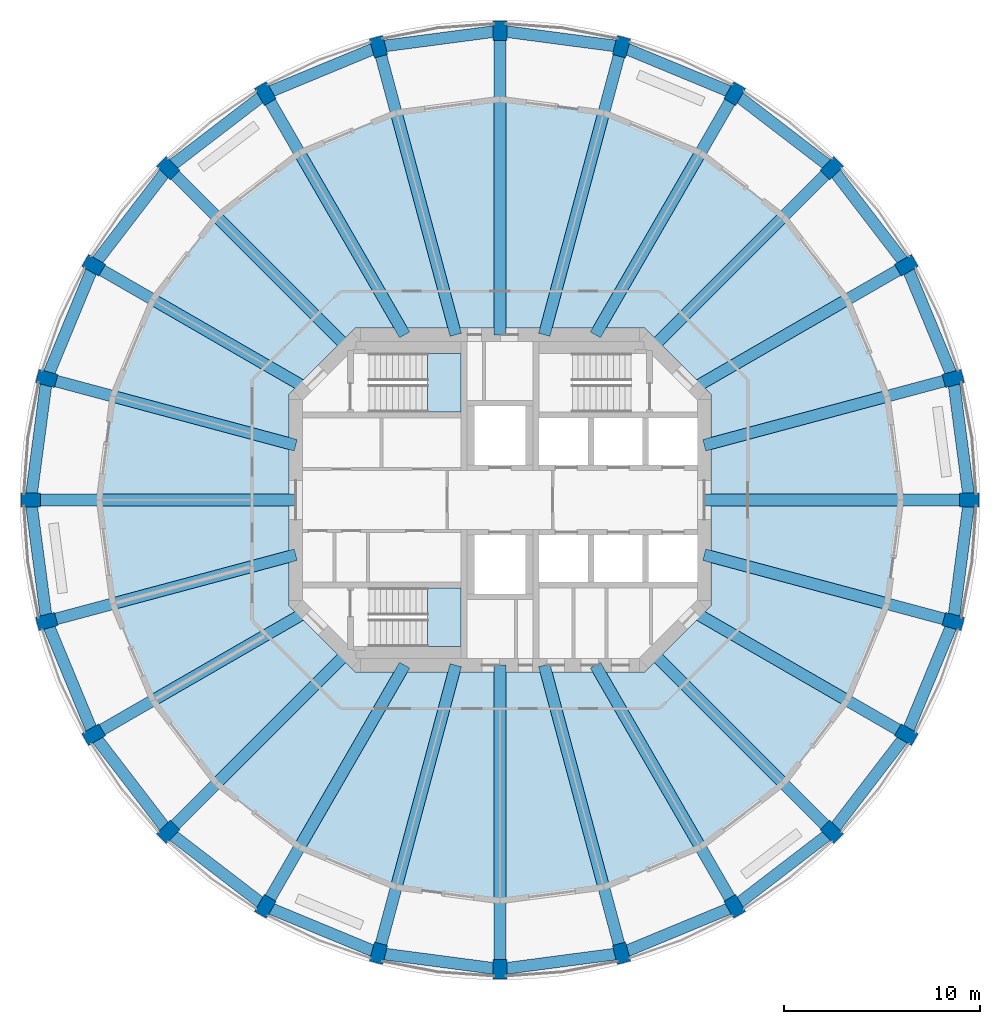
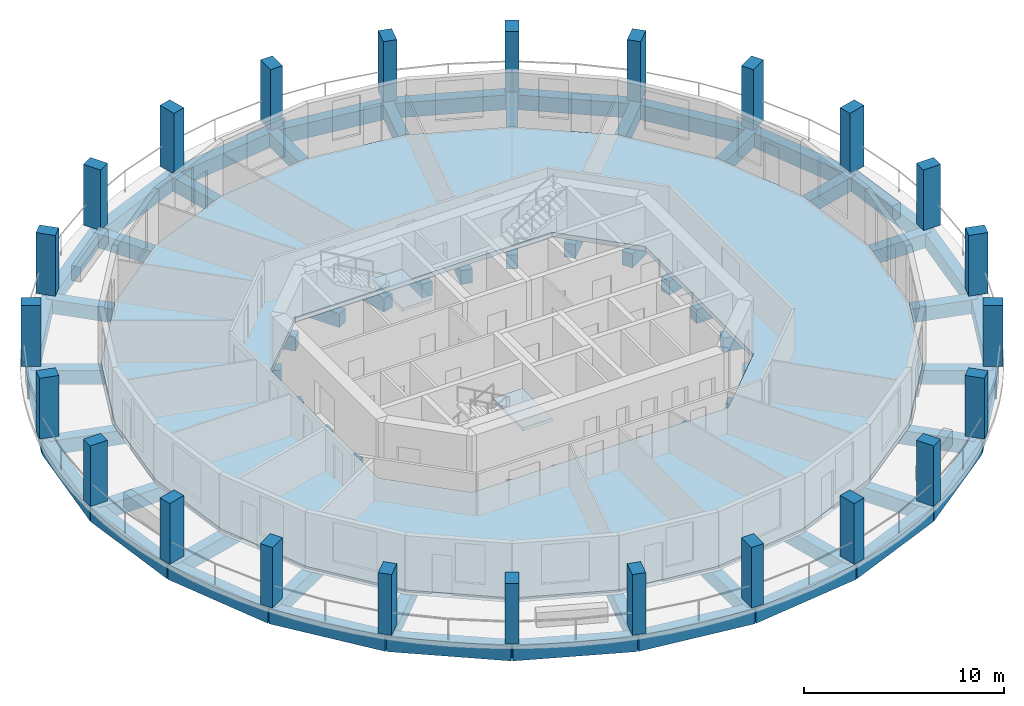
# One storey, part 1 of 9: 48 beams, 24 columns, 3 slabs, 2 elements without a shape of their own.
"""IFC4 building model written with IfcOpenShell, lengths in metres."""

from ifc_helpers import new_model, si_unit, direction, frame, origin, origin_2d, place, context, subcontext, project, spatial, polyline, rectangle, outline, extrude, material, layer, layer_set, material_profile, profile_set, type_object, element, aggregate, save


model = new_model("IFC4")

# Units and contexts
model_context = context("Model", 3, precision=1e-05, world=origin(), true_north=direction((0.0, 1.0)))
body_context = subcontext(model_context, "Body", "Model", "MODEL_VIEW")
ifc_project = project(units=[si_unit("LENGTHUNIT", "METRE"), si_unit("AREAUNIT", "SQUARE_METRE"), si_unit("VOLUMEUNIT", "CUBIC_METRE"), si_unit("PLANEANGLEUNIT", "RADIAN"), si_unit("MASSUNIT", "GRAM", prefix="KILO")], contexts=[model_context])

# Site, building, storey
site_placement = place(None, origin())
site = spatial("IfcSite", under=ifc_project, at=site_placement, CompositionType="ELEMENT")
building_placement = place(site_placement, origin())
building = spatial("IfcBuilding", under=site, at=building_placement, Name="Torre Triforio", CompositionType="ELEMENT")
storey_placement = place(building_placement, frame((0.0, 0.0, 237.199951171875)))
storey = spatial("IfcBuildingStorey", under=building, at=storey_placement, Name="L54", CompositionType="ELEMENT", Elevation=237.199951171875)

# Columns
ifc_material_1 = material(Name="Concrete C50", Category="concrete")
ifc_material_profile_1 = material_profile(ifc_material_1, rectangle(XDim=0.699951171875, YDim=1.0, at=origin_2d()), Name="RC 700x1000")
ifc_profile_set_1 = profile_set([ifc_material_profile_1], Name="Concrete C50")
column_type = type_object("IfcColumnType", Name="Pier RC 700x1000 C50", PredefinedType="COLUMN", material=ifc_profile_set_1)
for number, where, z_axis, x_axis, name in (
    (1, (24.0, 0.0, 0.0), (0.0, 0.0, 1.0), (0.0, 1.0, 0.0), "COL.R.L54.00"),
    (2, (23.18212890625, 6.211669921875, 0.0), (0.0, 0.0, 1.0), (-0.258819045103, 0.965925826289, 0.0), "COL.R.L54.01"),
    (3, (20.78466796875, 12.0, 0.0), (0.0, 0.0, 1.0), (-0.5, 0.866025403784, 0.0), "COL.R.L54.02"),
    (4, (16.970458984375, 16.970458984375, 0.0), (0.0, 0.0, 1.0), (-0.707106781187, 0.707106781187, 0.0), "COL.R.L54.03"),
    (5, (12.0, 20.78466796875, 0.0), (0.0, 0.0, 1.0), (-0.866025403784, 0.5, 0.0), "COL.R.L54.04"),
    (6, (6.211669921875, 23.18212890625, 0.0), (0.0, 0.0, 1.0), (-0.965925826289, 0.258819045103, 0.0), "COL.R.L54.05"),
    (7, (0.0, 24.0, 0.0), (0.0, 0.0, 1.0), (-1.0, 0.0, 0.0), "COL.R.L54.06"),
    (8, (-6.211669921875, 23.18212890625, 0.0), (0.0, 0.0, 1.0), (-0.965925826289, -0.258819045103, 0.0), "COL.R.L54.07"),
    (9, (-12.0, 20.78466796875, 0.0), (0.0, 0.0, 1.0), (-0.866025403784, -0.5, 0.0), "COL.R.L54.08"),
    (10, (-16.970458984375, 16.970458984375, 0.0), (0.0, 0.0, 1.0), (-0.707106781187, -0.707106781187, 0.0), "COL.R.L54.09"),
    (11, (-20.78466796875, 12.0, 0.0), (0.0, 0.0, 1.0), (-0.5, -0.866025403784, 0.0), "COL.R.L54.10"),
    (12, (-23.18212890625, 6.211669921875, 0.0), (0.0, 0.0, 1.0), (-0.258819045103, -0.965925826289, 0.0), "COL.R.L54.11"),
    (13, (-24.0, 0.0, 0.0), (0.0, 0.0, 1.0), (0.0, -1.0, 0.0), "COL.R.L54.12"),
    (14, (-23.18212890625, -6.211669921875, 0.0), (0.0, 0.0, 1.0), (0.258819045103, -0.965925826289, 0.0), "COL.R.L54.13"),
    (15, (-20.78466796875, -12.0, 0.0), (0.0, 0.0, 1.0), (0.5, -0.866025403784, 0.0), "COL.R.L54.14"),
    (16, (-16.970458984375, -16.970458984375, 0.0), (0.0, 0.0, 1.0), (0.707106781187, -0.707106781187, 0.0), "COL.R.L54.15"),
    (17, (-12.0, -20.78466796875, 0.0), (0.0, 0.0, 1.0), (0.866025403784, -0.5, 0.0), "COL.R.L54.16"),
    (18, (-6.211669921875, -23.18212890625, 0.0), (0.0, 0.0, 1.0), (0.965925826289, -0.258819045103, 0.0), "COL.R.L54.17"),
    (19, (0.0, -24.0, 0.0), (0.0, 0.0, 1.0), (1.0, 0.0, 0.0), "COL.R.L54.18"),
    (20, (6.211669921875, -23.18212890625, 0.0), (0.0, 0.0, 1.0), (0.965925826289, 0.258819045103, 0.0), "COL.R.L54.19"),
    (21, (12.0, -20.78466796875, 0.0), (0.0, 0.0, 1.0), (0.866025403784, 0.5, 0.0), "COL.R.L54.20"),
    (22, (16.970458984375, -16.970458984375, 0.0), (0.0, 0.0, 1.0), (0.707106781187, 0.707106781187, 0.0), "COL.R.L54.21"),
    (23, (20.78466796875, -12.0, 0.0), (0.0, 0.0, 1.0), (0.5, 0.866025403784, 0.0), "COL.R.L54.22"),
    (24, (23.18212890625, -6.211669921875, 0.0), (0.0, 0.0, 1.0), (0.258819045103, 0.965925826289, 0.0), "COL.R.L54.23"),
):
    element("IfcColumn", number, at=place(storey_placement, frame(where, z_axis=z_axis, x_axis=x_axis)), inside=storey, type_object=column_type, Name=name, PredefinedType="COLUMN", context=body_context, shape_type="SweptSolid", body=[
        extrude(rectangle(XDim=0.699951171875, YDim=1.0, at=origin_2d()), origin(), (0.0, 0.0, 1.0), 3.699951171875),
    ])

# Beams
ifc_material_2 = material(Name="Concrete C40", Category="concrete")
ifc_material_profile_2 = material_profile(ifc_material_2, rectangle(XDim=0.60009765625, YDim=0.85009765625, at=origin_2d()), Name="RC 600x850")
ifc_profile_set_2 = profile_set([ifc_material_profile_2], Name="Concrete C40")
beam_type_1 = type_object("IfcBeamType", Name="Radial beam RC 600x850 C40", PredefinedType="BEAM", material=ifc_profile_set_2)
beam_1_placement = place(storey_placement, frame((10.449951171875, 0.0, -0.704833984375), z_axis=(1.0, 0.0, 0.0), x_axis=(0.0, 1.0, 0.0)))
element("IfcBeam", 25, at=beam_1_placement, inside=storey, type_object=beam_type_1, Name="BM.R.L54.00", PredefinedType="BEAM", context=body_context, shape_type="SweptSolid", body=[
    extrude(rectangle(XDim=0.60009765625, YDim=0.85009765625, at=origin_2d()), origin(), (0.0, 0.0, 1.0), 13.550048828125),
])
beam_2_placement = place(storey_placement, frame((10.449951171875, 2.800048828125, -0.704833984375), z_axis=(0.965924985096, 0.258822184459, 0.0), x_axis=(-0.258822184459, 0.965924985096, 0.0)))
element("IfcBeam", 26, at=beam_2_placement, inside=storey, type_object=beam_type_1, Name="BM.R.L54.01", PredefinedType="BEAM", context=body_context, shape_type="SweptSolid", body=[
    extrude(rectangle(XDim=0.60009765625, YDim=0.85009765625, at=origin_2d()), origin(), (0.0, 0.0, 1.0), 13.181396484375),
])
beam_3_placement = place(storey_placement, frame((9.9501953125, 5.744873046875, -0.704833984375), z_axis=(0.866030898433, 0.499990482869, 0.0), x_axis=(-0.499990482869, 0.866030898433, 0.0)))
element("IfcBeam", 27, at=beam_3_placement, inside=storey, type_object=beam_type_1, Name="BM.R.L54.02", PredefinedType="BEAM", context=body_context, shape_type="SweptSolid", body=[
    extrude(rectangle(XDim=0.60009765625, YDim=0.85009765625, at=origin_2d()), origin(), (0.0, 0.0, 1.0), 12.510498046875),
])
beam_4_placement = place(storey_placement, frame((7.847412109375, 7.847412109375, -0.704833984375), z_axis=(0.707106781187, 0.707106781187, 0.0), x_axis=(-0.707106781187, 0.707106781187, 0.0)))
element("IfcBeam", 28, at=beam_4_placement, inside=storey, type_object=beam_type_1, Name="BM.R.L54.03", PredefinedType="BEAM", context=body_context, shape_type="SweptSolid", body=[
    extrude(rectangle(XDim=0.60009765625, YDim=0.85009765625, at=origin_2d()), origin(), (0.0, 0.0, 1.0), 12.90185546875),
])
beam_5_placement = place(storey_placement, frame((4.878662109375, 8.449951171875, -0.704833984375), z_axis=(0.499993987895, 0.866028874847, 0.0), x_axis=(-0.866028874847, 0.499993987895, 0.0)))
element("IfcBeam", 29, at=beam_5_placement, inside=storey, type_object=beam_type_1, Name="BM.R.L54.04", PredefinedType="BEAM", context=body_context, shape_type="SweptSolid", body=[
    extrude(rectangle(XDim=0.60009765625, YDim=0.85009765625, at=origin_2d()), origin(), (0.0, 0.0, 1.0), 14.242919921875),
])
beam_6_placement = place(storey_placement, frame((2.26416015625, 8.449951171875, -0.704833984375), z_axis=(0.258821164091, 0.965925258505, 0.0), x_axis=(-0.965925258505, 0.258821164091, 0.0)))
element("IfcBeam", 30, at=beam_6_placement, inside=storey, type_object=beam_type_1, Name="BM.R.L54.05", PredefinedType="BEAM", context=body_context, shape_type="SweptSolid", body=[
    extrude(rectangle(XDim=0.60009765625, YDim=0.85009765625, at=origin_2d()), origin(), (0.0, 0.0, 1.0), 15.251953125),
])
beam_7_placement = place(storey_placement, frame((0.0, 8.449951171875, -0.704833984375), z_axis=(0.0, 1.0, 0.0), x_axis=(-1.0, 0.0, 0.0)))
element("IfcBeam", 31, at=beam_7_placement, inside=storey, type_object=beam_type_1, Name="BM.R.L54.06", PredefinedType="BEAM", context=body_context, shape_type="SweptSolid", body=[
    extrude(rectangle(XDim=0.60009765625, YDim=0.85009765625, at=origin_2d()), origin(), (0.0, 0.0, 1.0), 15.550048828125),
])
beam_8_placement = place(storey_placement, frame((-2.26416015625, 8.449951171875, -0.704833984375), z_axis=(-0.258821164091, 0.965925258505, 0.0), x_axis=(-0.965925258505, -0.258821164091, 0.0)))
element("IfcBeam", 32, at=beam_8_placement, inside=storey, type_object=beam_type_1, Name="BM.R.L54.07", PredefinedType="BEAM", context=body_context, shape_type="SweptSolid", body=[
    extrude(rectangle(XDim=0.60009765625, YDim=0.85009765625, at=origin_2d()), origin(), (0.0, 0.0, 1.0), 15.251953125),
])
beam_9_placement = place(storey_placement, frame((-4.878662109375, 8.449951171875, -0.704833984375), z_axis=(-0.499993987895, 0.866028874847, 0.0), x_axis=(-0.866028874847, -0.499993987895, 0.0)))
element("IfcBeam", 33, at=beam_9_placement, inside=storey, type_object=beam_type_1, Name="BM.R.L54.08", PredefinedType="BEAM", context=body_context, shape_type="SweptSolid", body=[
    extrude(rectangle(XDim=0.60009765625, YDim=0.85009765625, at=origin_2d()), origin(), (0.0, 0.0, 1.0), 14.242919921875),
])
beam_10_placement = place(storey_placement, frame((-7.847412109375, 7.847412109375, -0.704833984375), z_axis=(-0.707106781187, 0.707106781187, 0.0), x_axis=(-0.707106781187, -0.707106781187, 0.0)))
element("IfcBeam", 34, at=beam_10_placement, inside=storey, type_object=beam_type_1, Name="BM.R.L54.09", PredefinedType="BEAM", context=body_context, shape_type="SweptSolid", body=[
    extrude(rectangle(XDim=0.60009765625, YDim=0.85009765625, at=origin_2d()), origin(), (0.0, 0.0, 1.0), 12.90185546875),
])
beam_11_placement = place(storey_placement, frame((-9.9501953125, 5.744873046875, -0.704833984375), z_axis=(-0.866030898433, 0.499990482869, 0.0), x_axis=(-0.499990482869, -0.866030898433, 0.0)))
element("IfcBeam", 35, at=beam_11_placement, inside=storey, type_object=beam_type_1, Name="BM.R.L54.10", PredefinedType="BEAM", context=body_context, shape_type="SweptSolid", body=[
    extrude(rectangle(XDim=0.60009765625, YDim=0.85009765625, at=origin_2d()), origin(), (0.0, 0.0, 1.0), 12.510498046875),
])
beam_12_placement = place(storey_placement, frame((-10.449951171875, 2.800048828125, -0.704833984375), z_axis=(-0.965924985096, 0.258822184459, 0.0), x_axis=(-0.258822184459, -0.965924985096, 0.0)))
element("IfcBeam", 36, at=beam_12_placement, inside=storey, type_object=beam_type_1, Name="BM.R.L54.11", PredefinedType="BEAM", context=body_context, shape_type="SweptSolid", body=[
    extrude(rectangle(XDim=0.60009765625, YDim=0.85009765625, at=origin_2d()), origin(), (0.0, 0.0, 1.0), 13.181396484375),
])
beam_13_placement = place(storey_placement, frame((-10.449951171875, 0.0, -0.704833984375), z_axis=(-1.0, 0.0, 0.0), x_axis=(0.0, -1.0, 0.0)))
element("IfcBeam", 37, at=beam_13_placement, inside=storey, type_object=beam_type_1, Name="BM.R.L54.12", PredefinedType="BEAM", context=body_context, shape_type="SweptSolid", body=[
    extrude(rectangle(XDim=0.60009765625, YDim=0.85009765625, at=origin_2d()), origin(), (0.0, 0.0, 1.0), 13.550048828125),
])
beam_14_placement = place(storey_placement, frame((-10.449951171875, -2.800048828125, -0.704833984375), z_axis=(-0.965924985096, -0.258822184459, 0.0), x_axis=(0.258822184459, -0.965924985096, 0.0)))
element("IfcBeam", 38, at=beam_14_placement, inside=storey, type_object=beam_type_1, Name="BM.R.L54.13", PredefinedType="BEAM", context=body_context, shape_type="SweptSolid", body=[
    extrude(rectangle(XDim=0.60009765625, YDim=0.85009765625, at=origin_2d()), origin(), (0.0, 0.0, 1.0), 13.181396484375),
])
beam_15_placement = place(storey_placement, frame((-9.9501953125, -5.744873046875, -0.704833984375), z_axis=(-0.866030898433, -0.499990482869, 0.0), x_axis=(0.499990482869, -0.866030898433, 0.0)))
element("IfcBeam", 39, at=beam_15_placement, inside=storey, type_object=beam_type_1, Name="BM.R.L54.14", PredefinedType="BEAM", context=body_context, shape_type="SweptSolid", body=[
    extrude(rectangle(XDim=0.60009765625, YDim=0.85009765625, at=origin_2d()), origin(), (0.0, 0.0, 1.0), 12.510498046875),
])
beam_16_placement = place(storey_placement, frame((-7.847412109375, -7.847412109375, -0.704833984375), z_axis=(-0.707106781187, -0.707106781187, 0.0), x_axis=(0.707106781187, -0.707106781187, 0.0)))
element("IfcBeam", 40, at=beam_16_placement, inside=storey, type_object=beam_type_1, Name="BM.R.L54.15", PredefinedType="BEAM", context=body_context, shape_type="SweptSolid", body=[
    extrude(rectangle(XDim=0.60009765625, YDim=0.85009765625, at=origin_2d()), origin(), (0.0, 0.0, 1.0), 12.90185546875),
])
beam_17_placement = place(storey_placement, frame((-4.878662109375, -8.449951171875, -0.704833984375), z_axis=(-0.499993987895, -0.866028874847, 0.0), x_axis=(0.866028874847, -0.499993987895, 0.0)))
element("IfcBeam", 41, at=beam_17_placement, inside=storey, type_object=beam_type_1, Name="BM.R.L54.16", PredefinedType="BEAM", context=body_context, shape_type="SweptSolid", body=[
    extrude(rectangle(XDim=0.60009765625, YDim=0.85009765625, at=origin_2d()), origin(), (0.0, 0.0, 1.0), 14.242919921875),
])
beam_18_placement = place(storey_placement, frame((-2.26416015625, -8.449951171875, -0.704833984375), z_axis=(-0.258821164091, -0.965925258505, 0.0), x_axis=(0.965925258505, -0.258821164091, 0.0)))
element("IfcBeam", 42, at=beam_18_placement, inside=storey, type_object=beam_type_1, Name="BM.R.L54.17", PredefinedType="BEAM", context=body_context, shape_type="SweptSolid", body=[
    extrude(rectangle(XDim=0.60009765625, YDim=0.85009765625, at=origin_2d()), origin(), (0.0, 0.0, 1.0), 15.251953125),
])
beam_19_placement = place(storey_placement, frame((0.0, -8.449951171875, -0.704833984375), z_axis=(0.0, -1.0, 0.0), x_axis=(1.0, 0.0, 0.0)))
element("IfcBeam", 43, at=beam_19_placement, inside=storey, type_object=beam_type_1, Name="BM.R.L54.18", PredefinedType="BEAM", context=body_context, shape_type="SweptSolid", body=[
    extrude(rectangle(XDim=0.60009765625, YDim=0.85009765625, at=origin_2d()), origin(), (0.0, 0.0, 1.0), 15.550048828125),
])
beam_20_placement = place(storey_placement, frame((2.26416015625, -8.449951171875, -0.704833984375), z_axis=(0.258821164091, -0.965925258505, 0.0), x_axis=(0.965925258505, 0.258821164091, 0.0)))
element("IfcBeam", 44, at=beam_20_placement, inside=storey, type_object=beam_type_1, Name="BM.R.L54.19", PredefinedType="BEAM", context=body_context, shape_type="SweptSolid", body=[
    extrude(rectangle(XDim=0.60009765625, YDim=0.85009765625, at=origin_2d()), origin(), (0.0, 0.0, 1.0), 15.251953125),
])
beam_21_placement = place(storey_placement, frame((4.878662109375, -8.449951171875, -0.704833984375), z_axis=(0.499993987895, -0.866028874847, 0.0), x_axis=(0.866028874847, 0.499993987895, 0.0)))
element("IfcBeam", 45, at=beam_21_placement, inside=storey, type_object=beam_type_1, Name="BM.R.L54.20", PredefinedType="BEAM", context=body_context, shape_type="SweptSolid", body=[
    extrude(rectangle(XDim=0.60009765625, YDim=0.85009765625, at=origin_2d()), origin(), (0.0, 0.0, 1.0), 14.242919921875),
])
beam_22_placement = place(storey_placement, frame((7.847412109375, -7.847412109375, -0.704833984375), z_axis=(0.707106781187, -0.707106781187, 0.0), x_axis=(0.707106781187, 0.707106781187, 0.0)))
element("IfcBeam", 46, at=beam_22_placement, inside=storey, type_object=beam_type_1, Name="BM.R.L54.21", PredefinedType="BEAM", context=body_context, shape_type="SweptSolid", body=[
    extrude(rectangle(XDim=0.60009765625, YDim=0.85009765625, at=origin_2d()), origin(), (0.0, 0.0, 1.0), 12.90185546875),
])
beam_23_placement = place(storey_placement, frame((9.9501953125, -5.744873046875, -0.704833984375), z_axis=(0.866030898433, -0.499990482869, 0.0), x_axis=(0.499990482869, 0.866030898433, 0.0)))
element("IfcBeam", 47, at=beam_23_placement, inside=storey, type_object=beam_type_1, Name="BM.R.L54.22", PredefinedType="BEAM", context=body_context, shape_type="SweptSolid", body=[
    extrude(rectangle(XDim=0.60009765625, YDim=0.85009765625, at=origin_2d()), origin(), (0.0, 0.0, 1.0), 12.510498046875),
])
beam_24_placement = place(storey_placement, frame((10.449951171875, -2.800048828125, -0.704833984375), z_axis=(0.965924985096, -0.258822184459, 0.0), x_axis=(0.258822184459, 0.965924985096, 0.0)))
element("IfcBeam", 48, at=beam_24_placement, inside=storey, type_object=beam_type_1, Name="BM.R.L54.23", PredefinedType="BEAM", context=body_context, shape_type="SweptSolid", body=[
    extrude(rectangle(XDim=0.60009765625, YDim=0.85009765625, at=origin_2d()), origin(), (0.0, 0.0, 1.0), 13.181396484375),
])
ifc_material_profile_3 = material_profile(ifc_material_2, rectangle(XDim=0.60009765625, YDim=0.89990234375, at=origin_2d()), Name="RC 600x900")
ifc_profile_set_3 = profile_set([ifc_material_profile_3], Name="Concrete C40")
beam_type_2 = type_object("IfcBeamType", Name="Spandrel beam RC 600x900 C40", PredefinedType="SPANDREL", material=ifc_profile_set_3)
beam_25_placement = place(storey_placement, frame((24.0, 0.0, -0.72998046875), z_axis=(-0.130540192224, 0.991443018138, 0.0), x_axis=(-0.991443018138, -0.130540192224, 0.0)))
element("IfcBeam", 49, at=beam_25_placement, inside=storey, type_object=beam_type_2, Name="BM.S.L54.00", PredefinedType="SPANDREL", context=body_context, shape_type="SweptSolid", body=[
    extrude(rectangle(XDim=0.60009765625, YDim=0.89990234375, at=origin_2d()), origin(), (0.0, 0.0, 1.0), 6.265380859375),
])
beam_26_placement = place(storey_placement, frame((23.18212890625, 6.211669921875, -0.72998046875), z_axis=(-0.382663829839, 0.9238876519, 0.0), x_axis=(-0.9238876519, -0.382663829839, 0.0)))
element("IfcBeam", 50, at=beam_26_placement, inside=storey, type_object=beam_type_2, Name="BM.S.L54.01", PredefinedType="SPANDREL", context=body_context, shape_type="SweptSolid", body=[
    extrude(rectangle(XDim=0.60009765625, YDim=0.89990234375, at=origin_2d()), origin(), (0.0, 0.0, 1.0), 6.26513671875),
])
for number, where, z_axis, x_axis, name in (
    (51, (20.78466796875, 12.0, -0.72998046875), (-0.608785706196, 0.79333471116, 0.0), (-0.79333471116, -0.608785706196, 0.0), "BM.S.L54.02"),
    (52, (16.970458984375, 16.970458984375, -0.72998046875), (-0.79333471116, 0.608785706196, 0.0), (-0.608785706196, -0.79333471116, 0.0), "BM.S.L54.03"),
):
    element("IfcBeam", number, at=place(storey_placement, frame(where, z_axis=z_axis, x_axis=x_axis)), inside=storey, type_object=beam_type_2, Name=name, PredefinedType="SPANDREL", context=body_context, shape_type="SweptSolid", body=[
        extrude(rectangle(XDim=0.60009765625, YDim=0.89990234375, at=origin_2d()), origin(), (0.0, 0.0, 1.0), 6.265380859375),
    ])
beam_27_placement = place(storey_placement, frame((12.0, 20.78466796875, -0.72998046875), z_axis=(-0.9238876519, 0.382663829839, 0.0), x_axis=(-0.382663829839, -0.9238876519, 0.0)))
element("IfcBeam", 53, at=beam_27_placement, inside=storey, type_object=beam_type_2, Name="BM.S.L54.04", PredefinedType="SPANDREL", context=body_context, shape_type="SweptSolid", body=[
    extrude(rectangle(XDim=0.60009765625, YDim=0.89990234375, at=origin_2d()), origin(), (0.0, 0.0, 1.0), 6.26513671875),
])
for number, where, z_axis, x_axis, name in (
    (54, (6.211669921875, 23.18212890625, -0.72998046875), (-0.991443018138, 0.130540192224, 0.0), (-0.130540192224, -0.991443018138, 0.0), "BM.S.L54.05"),
    (55, (0.0, 24.0, -0.72998046875), (-0.991443018138, -0.130540192224, 0.0), (0.130540192224, -0.991443018138, 0.0), "BM.S.L54.06"),
):
    element("IfcBeam", number, at=place(storey_placement, frame(where, z_axis=z_axis, x_axis=x_axis)), inside=storey, type_object=beam_type_2, Name=name, PredefinedType="SPANDREL", context=body_context, shape_type="SweptSolid", body=[
        extrude(rectangle(XDim=0.60009765625, YDim=0.89990234375, at=origin_2d()), origin(), (0.0, 0.0, 1.0), 6.265380859375),
    ])
beam_28_placement = place(storey_placement, frame((-6.211669921875, 23.18212890625, -0.72998046875), z_axis=(-0.9238876519, -0.382663829839, 0.0), x_axis=(0.382663829839, -0.9238876519, 0.0)))
element("IfcBeam", 56, at=beam_28_placement, inside=storey, type_object=beam_type_2, Name="BM.S.L54.07", PredefinedType="SPANDREL", context=body_context, shape_type="SweptSolid", body=[
    extrude(rectangle(XDim=0.60009765625, YDim=0.89990234375, at=origin_2d()), origin(), (0.0, 0.0, 1.0), 6.26513671875),
])
for number, where, z_axis, x_axis, name in (
    (57, (-12.0, 20.78466796875, -0.72998046875), (-0.79333471116, -0.608785706196, 0.0), (0.608785706196, -0.79333471116, 0.0), "BM.S.L54.08"),
    (58, (-16.970458984375, 16.970458984375, -0.72998046875), (-0.608785706196, -0.79333471116, 0.0), (0.79333471116, -0.608785706196, 0.0), "BM.S.L54.09"),
):
    element("IfcBeam", number, at=place(storey_placement, frame(where, z_axis=z_axis, x_axis=x_axis)), inside=storey, type_object=beam_type_2, Name=name, PredefinedType="SPANDREL", context=body_context, shape_type="SweptSolid", body=[
        extrude(rectangle(XDim=0.60009765625, YDim=0.89990234375, at=origin_2d()), origin(), (0.0, 0.0, 1.0), 6.265380859375),
    ])
beam_29_placement = place(storey_placement, frame((-20.78466796875, 12.0, -0.72998046875), z_axis=(-0.382663829839, -0.9238876519, 0.0), x_axis=(0.9238876519, -0.382663829839, 0.0)))
element("IfcBeam", 59, at=beam_29_placement, inside=storey, type_object=beam_type_2, Name="BM.S.L54.10", PredefinedType="SPANDREL", context=body_context, shape_type="SweptSolid", body=[
    extrude(rectangle(XDim=0.60009765625, YDim=0.89990234375, at=origin_2d()), origin(), (0.0, 0.0, 1.0), 6.26513671875),
])
for number, where, z_axis, x_axis, name in (
    (60, (-23.18212890625, 6.211669921875, -0.72998046875), (-0.130540192224, -0.991443018138, 0.0), (0.991443018138, -0.130540192224, 0.0), "BM.S.L54.11"),
    (61, (-24.0, 0.0, -0.72998046875), (0.130540192224, -0.991443018138, 0.0), (0.991443018138, 0.130540192224, 0.0), "BM.S.L54.12"),
):
    element("IfcBeam", number, at=place(storey_placement, frame(where, z_axis=z_axis, x_axis=x_axis)), inside=storey, type_object=beam_type_2, Name=name, PredefinedType="SPANDREL", context=body_context, shape_type="SweptSolid", body=[
        extrude(rectangle(XDim=0.60009765625, YDim=0.89990234375, at=origin_2d()), origin(), (0.0, 0.0, 1.0), 6.265380859375),
    ])
beam_30_placement = place(storey_placement, frame((-23.18212890625, -6.211669921875, -0.72998046875), z_axis=(0.382663829839, -0.9238876519, 0.0), x_axis=(0.9238876519, 0.382663829839, 0.0)))
element("IfcBeam", 62, at=beam_30_placement, inside=storey, type_object=beam_type_2, Name="BM.S.L54.13", PredefinedType="SPANDREL", context=body_context, shape_type="SweptSolid", body=[
    extrude(rectangle(XDim=0.60009765625, YDim=0.89990234375, at=origin_2d()), origin(), (0.0, 0.0, 1.0), 6.26513671875),
])
for number, where, z_axis, x_axis, name in (
    (63, (-20.78466796875, -12.0, -0.72998046875), (0.608785706196, -0.79333471116, 0.0), (0.79333471116, 0.608785706196, 0.0), "BM.S.L54.14"),
    (64, (-16.970458984375, -16.970458984375, -0.72998046875), (0.79333471116, -0.608785706196, 0.0), (0.608785706196, 0.79333471116, 0.0), "BM.S.L54.15"),
):
    element("IfcBeam", number, at=place(storey_placement, frame(where, z_axis=z_axis, x_axis=x_axis)), inside=storey, type_object=beam_type_2, Name=name, PredefinedType="SPANDREL", context=body_context, shape_type="SweptSolid", body=[
        extrude(rectangle(XDim=0.60009765625, YDim=0.89990234375, at=origin_2d()), origin(), (0.0, 0.0, 1.0), 6.265380859375),
    ])
beam_31_placement = place(storey_placement, frame((-12.0, -20.78466796875, -0.72998046875), z_axis=(0.9238876519, -0.382663829839, 0.0), x_axis=(0.382663829839, 0.9238876519, 0.0)))
element("IfcBeam", 65, at=beam_31_placement, inside=storey, type_object=beam_type_2, Name="BM.S.L54.16", PredefinedType="SPANDREL", context=body_context, shape_type="SweptSolid", body=[
    extrude(rectangle(XDim=0.60009765625, YDim=0.89990234375, at=origin_2d()), origin(), (0.0, 0.0, 1.0), 6.26513671875),
])
for number, where, z_axis, x_axis, name in (
    (66, (-6.211669921875, -23.18212890625, -0.72998046875), (0.991443018138, -0.130540192224, 0.0), (0.130540192224, 0.991443018138, 0.0), "BM.S.L54.17"),
    (67, (0.0, -24.0, -0.72998046875), (0.991443018138, 0.130540192224, 0.0), (-0.130540192224, 0.991443018138, 0.0), "BM.S.L54.18"),
):
    element("IfcBeam", number, at=place(storey_placement, frame(where, z_axis=z_axis, x_axis=x_axis)), inside=storey, type_object=beam_type_2, Name=name, PredefinedType="SPANDREL", context=body_context, shape_type="SweptSolid", body=[
        extrude(rectangle(XDim=0.60009765625, YDim=0.89990234375, at=origin_2d()), origin(), (0.0, 0.0, 1.0), 6.265380859375),
    ])
beam_32_placement = place(storey_placement, frame((6.211669921875, -23.18212890625, -0.72998046875), z_axis=(0.9238876519, 0.382663829839, 0.0), x_axis=(-0.382663829839, 0.9238876519, 0.0)))
element("IfcBeam", 68, at=beam_32_placement, inside=storey, type_object=beam_type_2, Name="BM.S.L54.19", PredefinedType="SPANDREL", context=body_context, shape_type="SweptSolid", body=[
    extrude(rectangle(XDim=0.60009765625, YDim=0.89990234375, at=origin_2d()), origin(), (0.0, 0.0, 1.0), 6.26513671875),
])
for number, where, z_axis, x_axis, name in (
    (69, (12.0, -20.78466796875, -0.72998046875), (0.79333471116, 0.608785706196, 0.0), (-0.608785706196, 0.79333471116, 0.0), "BM.S.L54.20"),
    (70, (16.970458984375, -16.970458984375, -0.72998046875), (0.608785706196, 0.79333471116, 0.0), (-0.79333471116, 0.608785706196, 0.0), "BM.S.L54.21"),
):
    element("IfcBeam", number, at=place(storey_placement, frame(where, z_axis=z_axis, x_axis=x_axis)), inside=storey, type_object=beam_type_2, Name=name, PredefinedType="SPANDREL", context=body_context, shape_type="SweptSolid", body=[
        extrude(rectangle(XDim=0.60009765625, YDim=0.89990234375, at=origin_2d()), origin(), (0.0, 0.0, 1.0), 6.265380859375),
    ])
beam_33_placement = place(storey_placement, frame((20.78466796875, -12.0, -0.72998046875), z_axis=(0.382663829839, 0.9238876519, 0.0), x_axis=(-0.9238876519, 0.382663829839, 0.0)))
element("IfcBeam", 71, at=beam_33_placement, inside=storey, type_object=beam_type_2, Name="BM.S.L54.22", PredefinedType="SPANDREL", context=body_context, shape_type="SweptSolid", body=[
    extrude(rectangle(XDim=0.60009765625, YDim=0.89990234375, at=origin_2d()), origin(), (0.0, 0.0, 1.0), 6.26513671875),
])
beam_34_placement = place(storey_placement, frame((23.18212890625, -6.211669921875, -0.72998046875), z_axis=(0.130540192224, 0.991443018138, 0.0), x_axis=(-0.991443018138, 0.130540192224, 0.0)))
element("IfcBeam", 72, at=beam_34_placement, inside=storey, type_object=beam_type_2, Name="BM.S.L54.23", PredefinedType="SPANDREL", context=body_context, shape_type="SweptSolid", body=[
    extrude(rectangle(XDim=0.60009765625, YDim=0.89990234375, at=origin_2d()), origin(), (0.0, 0.0, 1.0), 6.265380859375),
])

# Slab
ifc_layer_1 = layer(ifc_material_2, 0.280029296875)
ifc_layer_set_1 = layer_set([ifc_layer_1], Name="Concrete C40")
slab_type_1 = type_object("IfcSlabType", Name="Floor slab 280 C40", PredefinedType="FLOOR", material=ifc_layer_set_1)
slab_1_placement = place(storey_placement, frame((0.0, 0.0, -0.280029296875)))
element("IfcSlab", 73, at=slab_1_placement, inside=storey, type_object=slab_type_1, Name="SL.L54", PredefinedType="FLOOR", context=body_context, shape_type="SweptSolid", body=[
    extrude(outline(polyline([(17.75341796875, -10.25), (19.801513671875, -5.305908203125), (20.5, 0.0), (19.801513671875, 5.305908203125), (17.75341796875, 10.25), (14.49560546875, 14.49560546875), (10.25, 17.75341796875), (5.305908203125, 19.801513671875), (0.0, 20.5), (-5.305908203125, 19.801513671875), (-10.25, 17.75341796875), (-14.49560546875, 14.49560546875), (-17.75341796875, 10.25), (-19.801513671875, 5.305908203125), (-20.5, 0.0), (-19.801513671875, -5.305908203125), (-17.75341796875, -10.25), (-14.49560546875, -14.49560546875), (-10.25, -17.75341796875), (-5.305908203125, -19.801513671875), (0.0, -20.5), (5.305908203125, -19.801513671875), (10.25, -17.75341796875), (14.49560546875, -14.49560546875), (17.75341796875, -10.25)]), holes=[polyline([(10.800048828125, 5.389892578125), (10.800048828125, -5.389892578125), (7.389892578125, -8.800048828125), (-7.389892578125, -8.800048828125), (-10.800048828125, -5.389892578125), (-10.800048828125, 5.389892578125), (-7.389892578125, 8.800048828125), (7.389892578125, 8.800048828125), (10.800048828125, 5.389892578125)])]), origin(), (0.0, 0.0, 1.0), 0.280029296875),
])

# Stair, slab
stair_type = type_object("IfcStairType", Name="STAIR HALF-TURN", PredefinedType="HALF_TURN_STAIR", material=ifc_material_2)
stair_1_placement = place(storey_placement, origin())
stair_1 = element("IfcStair", 74, at=stair_1_placement, inside=storey, type_object=stair_type, Name="Exit stair 1", PredefinedType="HALF_TURN_STAIR")
ifc_layer_2 = layer(ifc_material_2, 0.199951171875)
ifc_layer_set_2 = layer_set([ifc_layer_2], Name="Concrete C40")
slab_type_2 = type_object("IfcSlabType", Name="STAIR LANDING 200", PredefinedType="LANDING", material=ifc_layer_set_2)
slab_2_placement = place(storey_placement, frame((0.0, 0.0, 1.650146484375)))
slab_2 = element("IfcSlab", 75, at=slab_2_placement, type_object=slab_type_2, Name="ST1 landing 1", PredefinedType="LANDING", context=body_context, shape_type="SweptSolid", body=[
    extrude(outline(polyline([(-2.0, 4.5), (-2.0, 7.5), (-3.699951171875, 7.5), (-3.699951171875, 4.5), (-2.0, 4.5)])), origin(), (0.0, 0.0, 1.0), 0.199951171875),
])
aggregate(stair_1, [slab_2])

stair_2_placement = place(storey_placement, origin())
stair_2 = element("IfcStair", 76, at=stair_2_placement, inside=storey, type_object=stair_type, Name="Exit stair 3", PredefinedType="HALF_TURN_STAIR")
slab_3_placement = place(storey_placement, frame((0.0, 0.0, 1.650146484375)))
slab_3 = element("IfcSlab", 77, at=slab_3_placement, type_object=slab_type_2, Name="ST3 landing 1", PredefinedType="LANDING", context=body_context, shape_type="SweptSolid", body=[
    extrude(outline(polyline([(-2.0, -7.5), (-2.0, -4.5), (-3.699951171875, -4.5), (-3.699951171875, -7.5), (-2.0, -7.5)])), origin(), (0.0, 0.0, 1.0), 0.199951171875),
])
aggregate(stair_2, [slab_3])

save(model, "model.ifc")
